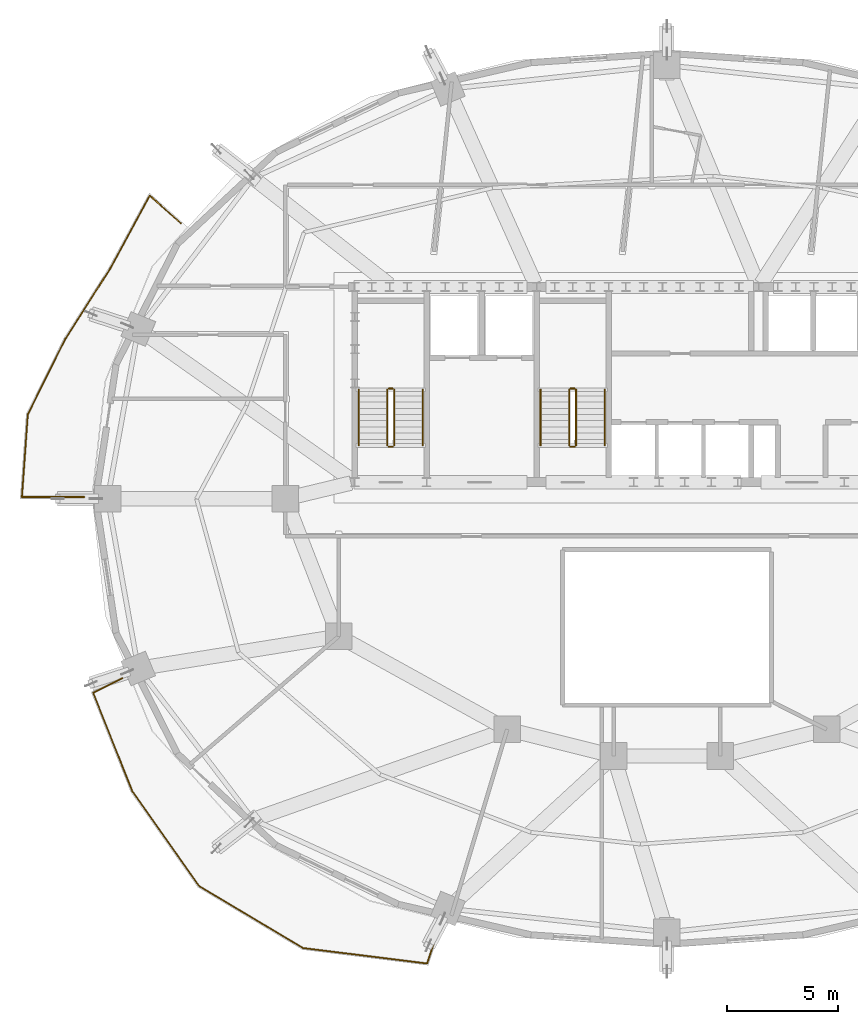
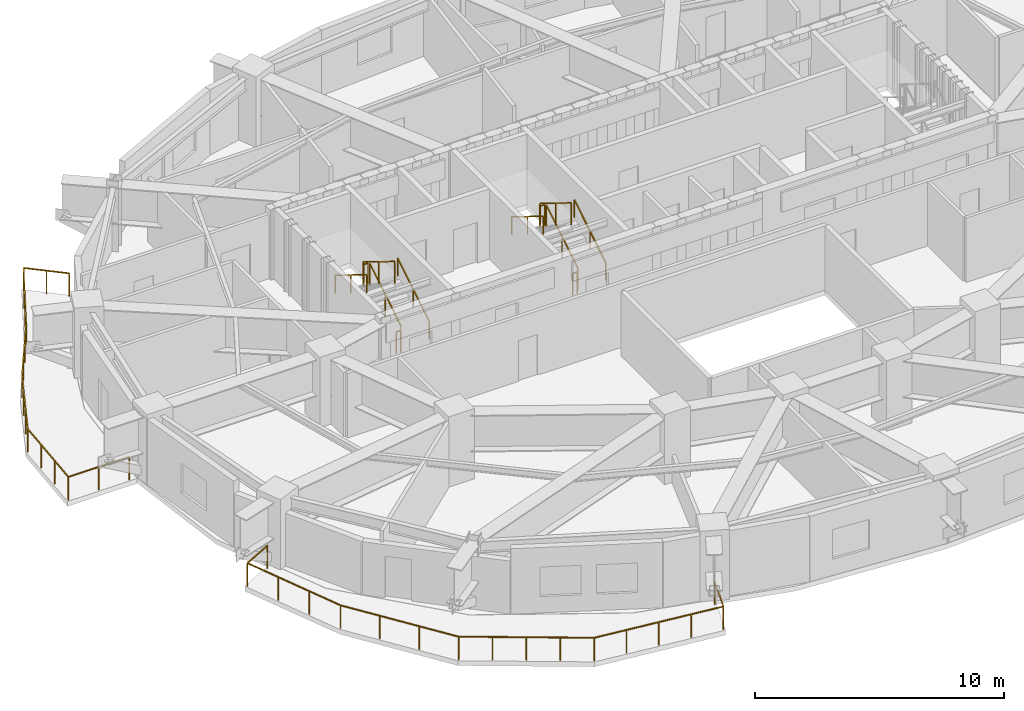
# One storey, part 11 of 14: 14 railings.
"""IFC4 building model written with IfcOpenShell, lengths in metres."""

from ifc_helpers import new_model, si_unit, direction, frame, origin, origin_2d, place, context, subcontext, project, spatial, rectangle, extrude, material, type_object, element, save


model = new_model("IFC4")

# Units and contexts
model_context = context("Model", 3, precision=1e-05, world=origin(), true_north=direction((0.0, 1.0)))
body_context = subcontext(model_context, "Body", "Model", "MODEL_VIEW")
ifc_project = project(units=[si_unit("LENGTHUNIT", "METRE"), si_unit("AREAUNIT", "SQUARE_METRE"), si_unit("VOLUMEUNIT", "CUBIC_METRE"), si_unit("PLANEANGLEUNIT", "RADIAN"), si_unit("MASSUNIT", "GRAM", prefix="KILO")], contexts=[model_context])

# Site, building, storey
site_placement = place(None, origin())
site = spatial("IfcSite", under=ifc_project, at=site_placement, CompositionType="ELEMENT")
building_placement = place(site_placement, origin())
building = spatial("IfcBuilding", under=site, at=building_placement, Name="Haldorwick Loom Tower", CompositionType="ELEMENT")
storey_placement = place(building_placement, frame((0.0, 0.0, 182.050048828125)))
storey = spatial("IfcBuildingStorey", under=building, at=storey_placement, Name="L49", CompositionType="ELEMENT", Elevation=182.050048828125)

# Railings
ifc_material_1 = material(Name="Galvanized Steel CSA G40.21 350W", Category="steel")
railing_type_1 = type_object("IfcRailingType", Name="ARC-RLG-BAL115", PredefinedType="BALUSTRADE", material=ifc_material_1)
railing_1_placement = place(storey_placement, frame((25.75390625, 6.72900390625, 0.0)))
element("IfcRailing", 1, at=railing_1_placement, inside=storey, type_object=railing_type_1, Name="L49 Outdoor Terrace Guardrail SLB-L49-BAL_SW-1", PredefinedType="BALUSTRADE", context=body_context, shape_type="SweptSolid", body=[
    extrude(rectangle(XDim=0.048095703125, YDim=0.048095703125, at=origin_2d()), frame((0.0, 0.0, 1.1259765625), z_axis=(-0.320886637071, -0.94711760946, 0.0), x_axis=(0.94711760946, -0.320886637071, 0.0)), (0.0, 0.0, 1.0), 1.77490234375),
    extrude(rectangle(XDim=0.048095703125, YDim=0.048095703125, at=origin_2d()), frame((-0.569580078125, -1.68115234375, 1.1259765625), z_axis=(-0.992333036754, 0.123592654179, 0.0), x_axis=(-0.123592654179, -0.992333036754, 0.0)), (0.0, 0.0, 1.0), 5.6416015625),
    extrude(rectangle(XDim=0.048095703125, YDim=0.048095703125, at=origin_2d()), frame((-6.16796875, -0.98388671875, 1.1259765625), z_axis=(-0.858668085407, 0.512532066415, 0.0), x_axis=(-0.512532066415, -0.858668085407, 0.0)), (0.0, 0.0, 1.0), 5.4521484375),
    extrude(rectangle(XDim=0.048095703125, YDim=0.048095703125, at=origin_2d()), frame((-10.849609375, 1.810546875, 1.1259765625), z_axis=(-0.575818159114, 0.817577793017, 0.0), x_axis=(-0.817577793017, -0.575818159114, 0.0)), (0.0, 0.0, 1.0), 5.23193359375),
    extrude(rectangle(XDim=0.048095703125, YDim=0.048095703125, at=origin_2d()), frame((-13.8623046875, 6.088134765625, 1.1259765625), z_axis=(-0.368892536215, 0.929472052686, 0.0), x_axis=(-0.929472052686, -0.368892536215, 0.0)), (0.0, 0.0, 1.0), 4.77099609375),
    extrude(rectangle(XDim=0.048095703125, YDim=0.048095703125, at=origin_2d()), frame((-15.622314453125, 10.522705078125, 1.1259765625), z_axis=(0.892261986487, 0.451518047778, 0.0), x_axis=(-0.451518047778, 0.892261986487, 0.0)), (0.0, 0.0, 1.0), 1.472900390625),
    extrude(rectangle(XDim=0.0419921875, YDim=0.0419921875, at=origin_2d()), origin(), (0.0, 0.0, 1.0), 1.101806640625),
    extrude(rectangle(XDim=0.0419921875, YDim=0.0419921875, at=origin_2d()), frame((-0.569580078125, -1.68115234375, 0.0)), (0.0, 0.0, 1.0), 1.101806640625),
    extrude(rectangle(XDim=0.0419921875, YDim=0.0419921875, at=origin_2d()), frame((-1.96923828125, -1.5068359375, 0.0)), (0.0, 0.0, 1.0), 1.101806640625),
    extrude(rectangle(XDim=0.0419921875, YDim=0.0419921875, at=origin_2d()), frame((-3.36865234375, -1.33251953125, 0.0)), (0.0, 0.0, 1.0), 1.101806640625),
    extrude(rectangle(XDim=0.0419921875, YDim=0.0419921875, at=origin_2d()), frame((-4.768310546875, -1.158203125, 0.0)), (0.0, 0.0, 1.0), 1.101806640625),
    extrude(rectangle(XDim=0.0419921875, YDim=0.0419921875, at=origin_2d()), frame((-6.16796875, -0.98388671875, 0.0)), (0.0, 0.0, 1.0), 1.101806640625),
    extrude(rectangle(XDim=0.0419921875, YDim=0.0419921875, at=origin_2d()), frame((-7.33837890625, -0.28515625, 0.0)), (0.0, 0.0, 1.0), 1.101806640625),
    extrude(rectangle(XDim=0.0419921875, YDim=0.0419921875, at=origin_2d()), frame((-8.5087890625, 0.413330078125, 0.0)), (0.0, 0.0, 1.0), 1.101806640625),
    extrude(rectangle(XDim=0.0419921875, YDim=0.0419921875, at=origin_2d()), frame((-9.67919921875, 1.11181640625, 0.0)), (0.0, 0.0, 1.0), 1.101806640625),
    extrude(rectangle(XDim=0.0419921875, YDim=0.0419921875, at=origin_2d()), frame((-10.849609375, 1.810546875, 0.0)), (0.0, 0.0, 1.0), 1.101806640625),
    extrude(rectangle(XDim=0.0419921875, YDim=0.0419921875, at=origin_2d()), frame((-11.853759765625, 3.236328125, 0.0)), (0.0, 0.0, 1.0), 1.101806640625),
    extrude(rectangle(XDim=0.0419921875, YDim=0.0419921875, at=origin_2d()), frame((-12.858154296875, 4.662353515625, 0.0)), (0.0, 0.0, 1.0), 1.101806640625),
    extrude(rectangle(XDim=0.0419921875, YDim=0.0419921875, at=origin_2d()), frame((-13.8623046875, 6.088134765625, 0.0)), (0.0, 0.0, 1.0), 1.101806640625),
    extrude(rectangle(XDim=0.0419921875, YDim=0.0419921875, at=origin_2d()), frame((-14.448974609375, 7.56640625, 0.0)), (0.0, 0.0, 1.0), 1.101806640625),
    extrude(rectangle(XDim=0.0419921875, YDim=0.0419921875, at=origin_2d()), frame((-15.03564453125, 9.04443359375, 0.0)), (0.0, 0.0, 1.0), 1.101806640625),
    extrude(rectangle(XDim=0.0419921875, YDim=0.0419921875, at=origin_2d()), frame((-15.622314453125, 10.522705078125, 0.0)), (0.0, 0.0, 1.0), 1.101806640625),
    extrude(rectangle(XDim=0.0419921875, YDim=0.0419921875, at=origin_2d()), frame((-14.30810546875, 11.187744140625, 0.0)), (0.0, 0.0, 1.0), 1.101806640625),
])
railing_2_placement = place(storey_placement, frame((9.73974609375, 26.080078125, 0.0)))
element("IfcRailing", 2, at=railing_2_placement, inside=storey, type_object=railing_type_1, Name="L49 Outdoor Terrace Guardrail SLB-L49-BAL_WNW-1", PredefinedType="BALUSTRADE", context=body_context, shape_type="SweptSolid", body=[
    extrude(rectangle(XDim=0.048095703125, YDim=0.048095703125, at=origin_2d()), frame((0.0, 0.0, 1.1259765625), z_axis=(-1.0, 0.0, 0.0), x_axis=(0.0, -1.0, 0.0)), (0.0, 0.0, 1.0), 2.82080078125),
    extrude(rectangle(XDim=0.048095703125, YDim=0.048095703125, at=origin_2d()), frame((-2.82080078125, 0.0, 1.1259765625), z_axis=(0.071391076537, 0.997448401769, 0.0), x_axis=(-0.997448401769, 0.071391076537, 0.0)), (0.0, 0.0, 1.0), 3.734375),
    extrude(rectangle(XDim=0.048095703125, YDim=0.048095703125, at=origin_2d()), frame((-2.55419921875, 3.724853515625, 1.1259765625), z_axis=(0.445570186233, 0.895247010127, 0.0), x_axis=(-0.895247010127, 0.445570186233, 0.0)), (0.0, 0.0, 1.0), 3.804931640625),
    extrude(rectangle(XDim=0.048095703125, YDim=0.048095703125, at=origin_2d()), frame((-0.85888671875, 7.131103515625, 1.1259765625), z_axis=(0.537781060041, 0.843084533995, 0.0), x_axis=(-0.843084533995, 0.537781060041, 0.0)), (0.0, 0.0, 1.0), 3.71435546875),
    extrude(rectangle(XDim=0.048095703125, YDim=0.048095703125, at=origin_2d()), frame((1.138671875, 10.2626953125, 1.1259765625), z_axis=(0.501036270542, 0.865426285481, 0.0), x_axis=(-0.865426285481, 0.501036270542, 0.0)), (0.0, 0.0, 1.0), 0.00537109375),
    extrude(rectangle(XDim=0.048095703125, YDim=0.048095703125, at=origin_2d()), frame((1.141357421875, 10.267333984375, 1.1259765625), z_axis=(0.477375598096, 0.878699344681, 0.0), x_axis=(-0.878699344681, 0.477375598096, 0.0)), (0.0, 0.0, 1.0), 3.7783203125),
    extrude(rectangle(XDim=0.048095703125, YDim=0.048095703125, at=origin_2d()), frame((2.945068359375, 13.58740234375, 1.1259765625), z_axis=(0.745995297982, -0.665951210967, 0.0), x_axis=(0.665951210967, 0.745995297982, 0.0)), (0.0, 0.0, 1.0), 1.87890625),
    extrude(rectangle(XDim=0.0419921875, YDim=0.0419921875, at=origin_2d()), origin(), (0.0, 0.0, 1.0), 1.101806640625),
    extrude(rectangle(XDim=0.0419921875, YDim=0.0419921875, at=origin_2d()), frame((-1.410400390625, 0.0, 0.0)), (0.0, 0.0, 1.0), 1.101806640625),
    extrude(rectangle(XDim=0.0419921875, YDim=0.0419921875, at=origin_2d()), frame((-2.82080078125, 0.0, 0.0)), (0.0, 0.0, 1.0), 1.101806640625),
    extrude(rectangle(XDim=0.0419921875, YDim=0.0419921875, at=origin_2d()), frame((-2.73193359375, 1.24169921875, 0.0)), (0.0, 0.0, 1.0), 1.101806640625),
    extrude(rectangle(XDim=0.0419921875, YDim=0.0419921875, at=origin_2d()), frame((-2.64306640625, 2.483154296875, 0.0)), (0.0, 0.0, 1.0), 1.101806640625),
    extrude(rectangle(XDim=0.0419921875, YDim=0.0419921875, at=origin_2d()), frame((-2.55419921875, 3.724853515625, 0.0)), (0.0, 0.0, 1.0), 1.101806640625),
    extrude(rectangle(XDim=0.0419921875, YDim=0.0419921875, at=origin_2d()), frame((-1.989013671875, 4.8603515625, 0.0)), (0.0, 0.0, 1.0), 1.101806640625),
    extrude(rectangle(XDim=0.0419921875, YDim=0.0419921875, at=origin_2d()), frame((-1.424072265625, 5.99560546875, 0.0)), (0.0, 0.0, 1.0), 1.101806640625),
    extrude(rectangle(XDim=0.0419921875, YDim=0.0419921875, at=origin_2d()), frame((-0.85888671875, 7.131103515625, 0.0)), (0.0, 0.0, 1.0), 1.101806640625),
    extrude(rectangle(XDim=0.0419921875, YDim=0.0419921875, at=origin_2d()), frame((-0.193115234375, 8.175048828125, 0.0)), (0.0, 0.0, 1.0), 1.101806640625),
    extrude(rectangle(XDim=0.0419921875, YDim=0.0419921875, at=origin_2d()), frame((0.472900390625, 9.21875, 0.0)), (0.0, 0.0, 1.0), 1.101806640625),
    extrude(rectangle(XDim=0.0419921875, YDim=0.0419921875, at=origin_2d()), frame((1.138671875, 10.2626953125, 0.0)), (0.0, 0.0, 1.0), 1.101806640625),
    extrude(rectangle(XDim=0.0419921875, YDim=0.0419921875, at=origin_2d()), frame((1.74267578125, 11.3740234375, 0.0)), (0.0, 0.0, 1.0), 1.101806640625),
    extrude(rectangle(XDim=0.0419921875, YDim=0.0419921875, at=origin_2d()), frame((2.34375, 12.480712890625, 0.0)), (0.0, 0.0, 1.0), 1.101806640625),
    extrude(rectangle(XDim=0.0419921875, YDim=0.0419921875, at=origin_2d()), frame((2.945068359375, 13.58740234375, 0.0)), (0.0, 0.0, 1.0), 1.101806640625),
    extrude(rectangle(XDim=0.0419921875, YDim=0.0419921875, at=origin_2d()), frame((3.64599609375, 12.9619140625, 0.0)), (0.0, 0.0, 1.0), 1.101806640625),
    extrude(rectangle(XDim=0.0419921875, YDim=0.0419921875, at=origin_2d()), frame((4.3466796875, 12.336181640625, 0.0)), (0.0, 0.0, 1.0), 1.101806640625),
])
ifc_material_2 = material(Name="Steel CSA G40.21 350W", Category="steel")
railing_type_2 = type_object("IfcRailingType", Name="ARC-RLG-GUARD112", PredefinedType="GUARDRAIL", material=ifc_material_2)
railing_3_placement = place(storey_placement, frame((23.699951171875, 28.39990234375, 0.17236328125)))
element("IfcRailing", 3, at=railing_3_placement, inside=storey, type_object=railing_type_2, Name="L49 ST-01 stair guard 1", PredefinedType="GUARDRAIL", context=body_context, shape_type="SweptSolid", body=[
    extrude(rectangle(XDim=0.048095703125, YDim=0.048095703125, at=origin_2d()), frame((0.0, 0.0, 1.076171875), z_axis=(0.0, 0.851400495292, 0.524516154772), x_axis=(-1.0, 0.0, 0.0)), (0.0, 0.0, 1.0), 2.9599609375),
    extrude(rectangle(XDim=0.0419921875, YDim=0.0419921875, at=origin_2d()), origin(), (0.0, 0.0, 1.0), 1.052001953125),
    extrude(rectangle(XDim=0.0419921875, YDim=0.0419921875, at=origin_2d()), frame((0.0, 1.260009765625, 0.7763671875)), (0.0, 0.0, 1.0), 1.052001953125),
    extrude(rectangle(XDim=0.0419921875, YDim=0.0419921875, at=origin_2d()), frame((0.0, 2.52001953125, 1.552490234375)), (0.0, 0.0, 1.0), 1.052001953125),
])
railing_4_placement = place(storey_placement, frame((23.64990234375, 30.969970703125, 1.724853515625)))
element("IfcRailing", 4, at=railing_4_placement, inside=storey, type_object=railing_type_2, Name="L49 ST-01 stair guard 2", PredefinedType="GUARDRAIL", context=body_context, shape_type="SweptSolid", body=[
    extrude(rectangle(XDim=0.048095703125, YDim=0.048095703125, at=origin_2d()), frame((0.0, 0.0, 1.076171875), z_axis=(-1.0, 0.0, 0.0), x_axis=(0.0, -1.0, 0.0)), (0.0, 0.0, 1.0), 0.199951171875),
    extrude(rectangle(XDim=0.0419921875, YDim=0.0419921875, at=origin_2d()), origin(), (0.0, 0.0, 1.0), 1.052001953125),
    extrude(rectangle(XDim=0.0419921875, YDim=0.0419921875, at=origin_2d()), frame((-0.199951171875, 0.0, 0.0)), (0.0, 0.0, 1.0), 1.052001953125),
])
railing_5_placement = place(storey_placement, frame((23.39990234375, 30.919921875, 1.8974609375)))
element("IfcRailing", 5, at=railing_5_placement, inside=storey, type_object=railing_type_2, Name="L49 ST-01 stair guard 3", PredefinedType="GUARDRAIL", context=body_context, shape_type="SweptSolid", body=[
    extrude(rectangle(XDim=0.048095703125, YDim=0.048095703125, at=origin_2d()), frame((0.0, 0.0, 1.076171875), z_axis=(0.0, -0.851400495292, 0.524516154772), x_axis=(1.0, 0.0, 0.0)), (0.0, 0.0, 1.0), 2.9599609375),
    extrude(rectangle(XDim=0.0419921875, YDim=0.0419921875, at=origin_2d()), origin(), (0.0, 0.0, 1.0), 1.052001953125),
    extrude(rectangle(XDim=0.0419921875, YDim=0.0419921875, at=origin_2d()), frame((0.0, -1.260009765625, 0.7763671875)), (0.0, 0.0, 1.0), 1.052001953125),
    extrude(rectangle(XDim=0.0419921875, YDim=0.0419921875, at=origin_2d()), frame((0.0, -2.52001953125, 1.552490234375)), (0.0, 0.0, 1.0), 1.052001953125),
])
railing_6_placement = place(storey_placement, frame((23.64990234375, 28.35009765625, 0.0)))
element("IfcRailing", 6, at=railing_6_placement, inside=storey, type_object=railing_type_2, Name="L49 ST-01 stair guard 4", PredefinedType="GUARDRAIL", context=body_context, shape_type="SweptSolid", body=[
    extrude(rectangle(XDim=0.048095703125, YDim=0.048095703125, at=origin_2d()), frame((0.0, 0.0, 1.076171875), z_axis=(-1.0, 0.0, 0.0), x_axis=(0.0, -1.0, 0.0)), (0.0, 0.0, 1.0), 0.199951171875),
    extrude(rectangle(XDim=0.0419921875, YDim=0.0419921875, at=origin_2d()), origin(), (0.0, 0.0, 1.0), 1.052001953125),
    extrude(rectangle(XDim=0.0419921875, YDim=0.0419921875, at=origin_2d()), frame((-0.199951171875, 0.0, 0.0)), (0.0, 0.0, 1.0), 1.052001953125),
])
railing_7_placement = place(storey_placement, frame((31.89990234375, 28.39990234375, 0.17236328125)))
element("IfcRailing", 7, at=railing_7_placement, inside=storey, type_object=railing_type_2, Name="L49 ST-03 stair guard 1", PredefinedType="GUARDRAIL", context=body_context, shape_type="SweptSolid", body=[
    extrude(rectangle(XDim=0.048095703125, YDim=0.048095703125, at=origin_2d()), frame((0.0, 0.0, 1.076171875), z_axis=(0.0, 0.851400495292, 0.524516154772), x_axis=(-1.0, 0.0, 0.0)), (0.0, 0.0, 1.0), 2.9599609375),
    extrude(rectangle(XDim=0.0419921875, YDim=0.0419921875, at=origin_2d()), origin(), (0.0, 0.0, 1.0), 1.052001953125),
    extrude(rectangle(XDim=0.0419921875, YDim=0.0419921875, at=origin_2d()), frame((0.0, 1.260009765625, 0.7763671875)), (0.0, 0.0, 1.0), 1.052001953125),
    extrude(rectangle(XDim=0.0419921875, YDim=0.0419921875, at=origin_2d()), frame((0.0, 2.52001953125, 1.552490234375)), (0.0, 0.0, 1.0), 1.052001953125),
])
railing_8_placement = place(storey_placement, frame((31.85009765625, 30.969970703125, 1.724853515625)))
element("IfcRailing", 8, at=railing_8_placement, inside=storey, type_object=railing_type_2, Name="L49 ST-03 stair guard 2", PredefinedType="GUARDRAIL", context=body_context, shape_type="SweptSolid", body=[
    extrude(rectangle(XDim=0.048095703125, YDim=0.048095703125, at=origin_2d()), frame((0.0, 0.0, 1.076171875), z_axis=(-1.0, 0.0, 0.0), x_axis=(0.0, -1.0, 0.0)), (0.0, 0.0, 1.0), 0.2001953125),
    extrude(rectangle(XDim=0.0419921875, YDim=0.0419921875, at=origin_2d()), origin(), (0.0, 0.0, 1.0), 1.052001953125),
    extrude(rectangle(XDim=0.0419921875, YDim=0.0419921875, at=origin_2d()), frame((-0.2001953125, 0.0, 0.0)), (0.0, 0.0, 1.0), 1.052001953125),
])
railing_9_placement = place(storey_placement, frame((31.60009765625, 30.919921875, 1.8974609375)))
element("IfcRailing", 9, at=railing_9_placement, inside=storey, type_object=railing_type_2, Name="L49 ST-03 stair guard 3", PredefinedType="GUARDRAIL", context=body_context, shape_type="SweptSolid", body=[
    extrude(rectangle(XDim=0.048095703125, YDim=0.048095703125, at=origin_2d()), frame((0.0, 0.0, 1.076171875), z_axis=(0.0, -0.851400495292, 0.524516154772), x_axis=(1.0, 0.0, 0.0)), (0.0, 0.0, 1.0), 2.9599609375),
    extrude(rectangle(XDim=0.0419921875, YDim=0.0419921875, at=origin_2d()), origin(), (0.0, 0.0, 1.0), 1.052001953125),
    extrude(rectangle(XDim=0.0419921875, YDim=0.0419921875, at=origin_2d()), frame((0.0, -1.260009765625, 0.7763671875)), (0.0, 0.0, 1.0), 1.052001953125),
    extrude(rectangle(XDim=0.0419921875, YDim=0.0419921875, at=origin_2d()), frame((0.0, -2.52001953125, 1.552490234375)), (0.0, 0.0, 1.0), 1.052001953125),
])
railing_10_placement = place(storey_placement, frame((31.85009765625, 28.35009765625, 0.0)))
element("IfcRailing", 10, at=railing_10_placement, inside=storey, type_object=railing_type_2, Name="L49 ST-03 stair guard 4", PredefinedType="GUARDRAIL", context=body_context, shape_type="SweptSolid", body=[
    extrude(rectangle(XDim=0.048095703125, YDim=0.048095703125, at=origin_2d()), frame((0.0, 0.0, 1.076171875), z_axis=(-1.0, 0.0, 0.0), x_axis=(0.0, -1.0, 0.0)), (0.0, 0.0, 1.0), 0.2001953125),
    extrude(rectangle(XDim=0.0419921875, YDim=0.0419921875, at=origin_2d()), origin(), (0.0, 0.0, 1.0), 1.052001953125),
    extrude(rectangle(XDim=0.0419921875, YDim=0.0419921875, at=origin_2d()), frame((-0.2001953125, 0.0, 0.0)), (0.0, 0.0, 1.0), 1.052001953125),
])
railing_type_3 = type_object("IfcRailingType", Name="ARC-RLG-HAND092", PredefinedType="HANDRAIL", material=ifc_material_2)
railing_11_placement = place(storey_placement, frame((25.0, 28.39990234375, 0.17236328125)))
element("IfcRailing", 11, at=railing_11_placement, inside=storey, type_object=railing_type_3, Name="L49 ST-01 stair handrail 1", PredefinedType="HANDRAIL", context=body_context, shape_type="SweptSolid", body=[
    extrude(rectangle(XDim=0.048095703125, YDim=0.048095703125, at=origin_2d()), frame((0.0, 0.0, 0.8759765625), z_axis=(0.0, 0.851400495292, 0.524516154772), x_axis=(-1.0, 0.0, 0.0)), (0.0, 0.0, 1.0), 2.9599609375),
    extrude(rectangle(XDim=0.0419921875, YDim=0.0419921875, at=origin_2d()), origin(), (0.0, 0.0, 1.0), 0.851806640625),
    extrude(rectangle(XDim=0.0419921875, YDim=0.0419921875, at=origin_2d()), frame((0.0, 1.260009765625, 0.7763671875)), (0.0, 0.0, 1.0), 0.851806640625),
    extrude(rectangle(XDim=0.0419921875, YDim=0.0419921875, at=origin_2d()), frame((0.0, 2.52001953125, 1.552490234375)), (0.0, 0.0, 1.0), 0.851806640625),
])
railing_12_placement = place(storey_placement, frame((22.10009765625, 30.919921875, 1.8974609375)))
element("IfcRailing", 12, at=railing_12_placement, inside=storey, type_object=railing_type_3, Name="L49 ST-01 stair handrail 2", PredefinedType="HANDRAIL", context=body_context, shape_type="SweptSolid", body=[
    extrude(rectangle(XDim=0.048095703125, YDim=0.048095703125, at=origin_2d()), frame((0.0, 0.0, 0.8759765625), z_axis=(0.0, -0.851400495292, 0.524516154772), x_axis=(1.0, 0.0, 0.0)), (0.0, 0.0, 1.0), 2.9599609375),
    extrude(rectangle(XDim=0.0419921875, YDim=0.0419921875, at=origin_2d()), origin(), (0.0, 0.0, 1.0), 0.851806640625),
    extrude(rectangle(XDim=0.0419921875, YDim=0.0419921875, at=origin_2d()), frame((0.0, -1.260009765625, 0.7763671875)), (0.0, 0.0, 1.0), 0.851806640625),
    extrude(rectangle(XDim=0.0419921875, YDim=0.0419921875, at=origin_2d()), frame((0.0, -2.52001953125, 1.552490234375)), (0.0, 0.0, 1.0), 0.851806640625),
])
railing_13_placement = place(storey_placement, frame((33.199951171875, 28.39990234375, 0.17236328125)))
element("IfcRailing", 13, at=railing_13_placement, inside=storey, type_object=railing_type_3, Name="L49 ST-03 stair handrail 1", PredefinedType="HANDRAIL", context=body_context, shape_type="SweptSolid", body=[
    extrude(rectangle(XDim=0.048095703125, YDim=0.048095703125, at=origin_2d()), frame((0.0, 0.0, 0.8759765625), z_axis=(0.0, 0.851400495292, 0.524516154772), x_axis=(-1.0, 0.0, 0.0)), (0.0, 0.0, 1.0), 2.9599609375),
    extrude(rectangle(XDim=0.0419921875, YDim=0.0419921875, at=origin_2d()), origin(), (0.0, 0.0, 1.0), 0.851806640625),
    extrude(rectangle(XDim=0.0419921875, YDim=0.0419921875, at=origin_2d()), frame((0.0, 1.260009765625, 0.7763671875)), (0.0, 0.0, 1.0), 0.851806640625),
    extrude(rectangle(XDim=0.0419921875, YDim=0.0419921875, at=origin_2d()), frame((0.0, 2.52001953125, 1.552490234375)), (0.0, 0.0, 1.0), 0.851806640625),
])
railing_14_placement = place(storey_placement, frame((30.300048828125, 30.919921875, 1.8974609375)))
element("IfcRailing", 14, at=railing_14_placement, inside=storey, type_object=railing_type_3, Name="L49 ST-03 stair handrail 2", PredefinedType="HANDRAIL", context=body_context, shape_type="SweptSolid", body=[
    extrude(rectangle(XDim=0.048095703125, YDim=0.048095703125, at=origin_2d()), frame((0.0, 0.0, 0.8759765625), z_axis=(0.0, -0.851400495292, 0.524516154772), x_axis=(1.0, 0.0, 0.0)), (0.0, 0.0, 1.0), 2.9599609375),
    extrude(rectangle(XDim=0.0419921875, YDim=0.0419921875, at=origin_2d()), origin(), (0.0, 0.0, 1.0), 0.851806640625),
    extrude(rectangle(XDim=0.0419921875, YDim=0.0419921875, at=origin_2d()), frame((0.0, -1.260009765625, 0.7763671875)), (0.0, 0.0, 1.0), 0.851806640625),
    extrude(rectangle(XDim=0.0419921875, YDim=0.0419921875, at=origin_2d()), frame((0.0, -2.52001953125, 1.552490234375)), (0.0, 0.0, 1.0), 0.851806640625),
])

save(model, "model.ifc")
